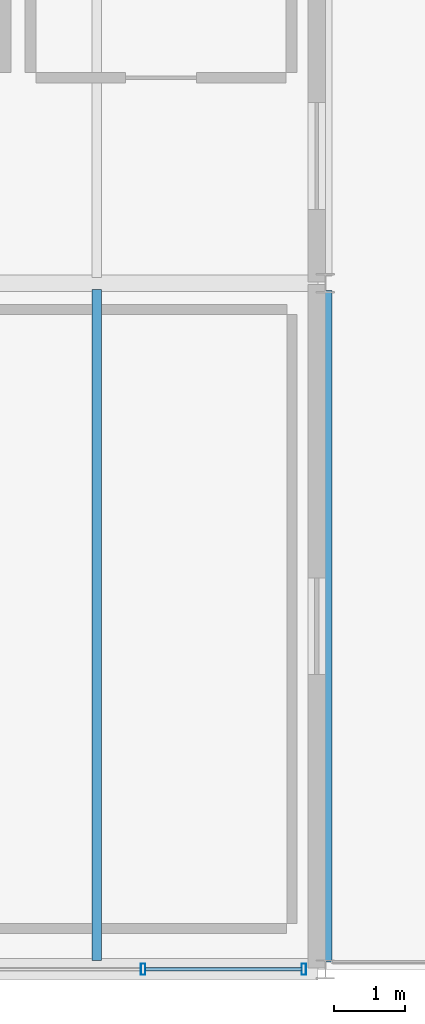
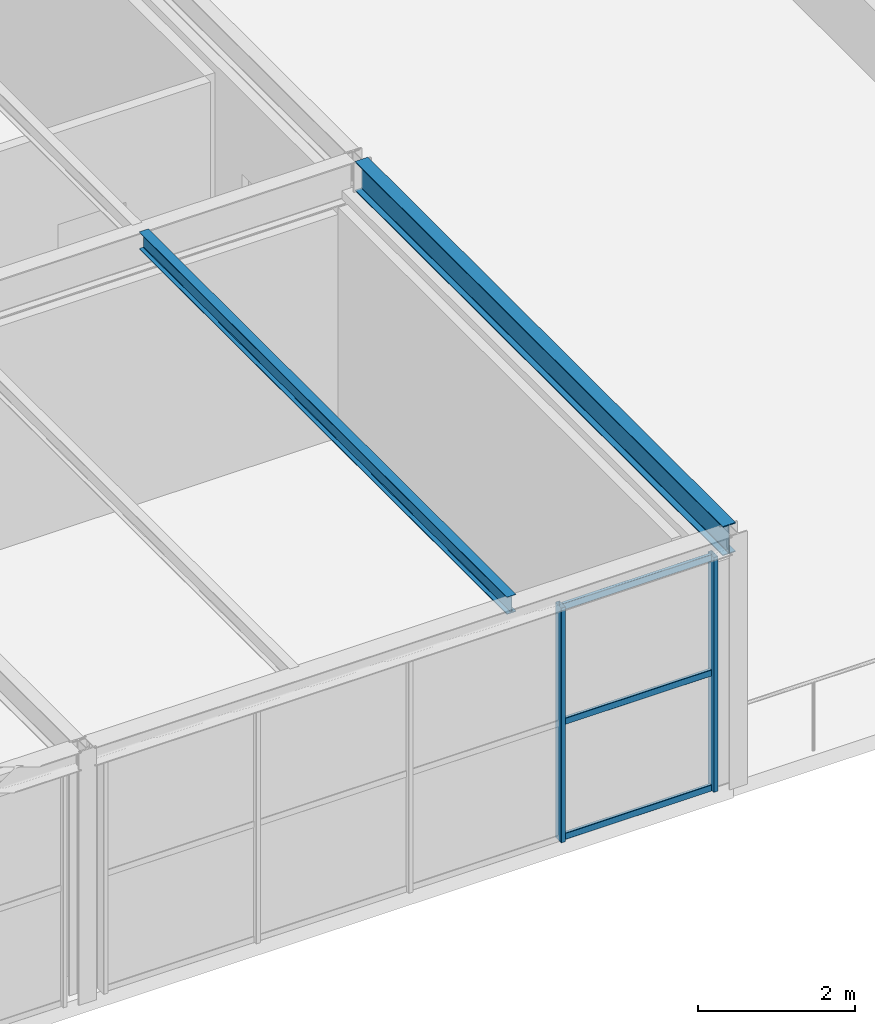
# One storey, part 30 of 39: 5 members, 2 beams, 1 element without a shape of its own.
"""IFC4 building model written with IfcOpenShell, lengths in metres."""

from ifc_helpers import new_model, si_unit, direction, frame, origin, origin_2d, place, context, subcontext, project, spatial, hollow_rectangle, i_section, extrude, material, material_profile, profile_set, type_object, element, aggregate, save


model = new_model("IFC4")

# Units and contexts
model_context = context("Model", 3, precision=1e-05, world=origin(), true_north=direction((0.0, 1.0)))
body_context = subcontext(model_context, "Body", "Model", "MODEL_VIEW")
ifc_project = project(units=[si_unit("LENGTHUNIT", "METRE"), si_unit("AREAUNIT", "SQUARE_METRE"), si_unit("VOLUMEUNIT", "CUBIC_METRE"), si_unit("PLANEANGLEUNIT", "RADIAN"), si_unit("MASSUNIT", "GRAM", prefix="KILO")], contexts=[model_context])

# Site, building, storey
site_placement = place(None, origin())
site = spatial("IfcSite", under=ifc_project, at=site_placement, CompositionType="ELEMENT")
building_placement = place(site_placement, origin())
building = spatial("IfcBuilding", under=site, at=building_placement, Name="Coralgate Yard Interchange", CompositionType="ELEMENT")
storey_placement = place(building_placement, frame((0.0, 0.0, 18.89990234375)))
storey = spatial("IfcBuildingStorey", under=building, at=storey_placement, Name="L04", CompositionType="ELEMENT", Elevation=18.89990234375)

# Beams
ifc_material_1 = material(Name="Structural steel S355J2", Category="steel")
ifc_material_profile_1 = material_profile(ifc_material_1, i_section(OverallWidth=0.1904296875, OverallDepth=0.45703125, WebThickness=0.009033203125, FlangeThickness=0.014404296875, FilletRadius=0.01025390625, at=origin_2d()), Name="UB 457x191x74")
ifc_profile_set_1 = profile_set([ifc_material_profile_1], Name="Structural steel S355J2")
beam_type_1 = type_object("IfcBeamType", Name="BM-SB-2", PredefinedType="BEAM", material=ifc_profile_set_1)
beam_1_placement = place(storey_placement, frame((67.199951171875, 0.103271484375, 3.7216796875), z_axis=(0.0, 1.0, 0.0), x_axis=(-1.0, 0.0, 0.0)))
element("IfcBeam", 1, at=beam_1_placement, inside=storey, type_object=beam_type_1, Name="L04 primary grid girder X7 Y0-1", PredefinedType="BEAM", context=body_context, shape_type="SweptSolid", body=[
    extrude(i_section(OverallWidth=0.1904296875, OverallDepth=0.45703125, WebThickness=0.009033203125, FlangeThickness=0.014404296875, FilletRadius=0.01025390625, at=origin_2d()), origin(), (0.0, 0.0, 1.0), 9.393310546875),
])
ifc_material_profile_2 = material_profile(ifc_material_1, i_section(OverallWidth=0.135009765625, OverallDepth=0.27001953125, WebThickness=0.006591796875, FlangeThickness=0.01025390625, FilletRadius=0.014892578125, at=origin_2d()), Name="IPE 270")
ifc_profile_set_2 = profile_set([ifc_material_profile_2], Name="Structural steel S355J2")
beam_type_2 = type_object("IfcBeamType", Name="BM-SJ-3", PredefinedType="JOIST", material=ifc_profile_set_2)
beam_2_placement = place(storey_placement, frame((64.0, 0.1201171875, 3.815185546875), z_axis=(0.0, 1.0, 0.0), x_axis=(-1.0, 0.0, 0.0)))
element("IfcBeam", 2, at=beam_2_placement, inside=storey, type_object=beam_type_2, Name="L04 composite floor joist 6-0-2", PredefinedType="JOIST", context=body_context, shape_type="SweptSolid", body=[
    extrude(i_section(OverallWidth=0.135009765625, OverallDepth=0.27001953125, WebThickness=0.006591796875, FlangeThickness=0.01025390625, FilletRadius=0.014892578125, at=origin_2d()), origin(), (0.0, 0.0, 1.0), 9.395751953125),
])

# Curtain wall, members
ifc_material_2 = material(Name="Anodised coastal aluminium and solar-control low-E glass", Category="aluminium")
curtain_wall_type = type_object("IfcCurtainWallType", Name="CW-CW-L04-A", PredefinedType="NOTDEFINED", material=ifc_material_2)
curtain_wall_placement = place(storey_placement, origin())
curtain_wall = element("IfcCurtainWall", 3, at=curtain_wall_placement, inside=storey, type_object=curtain_wall_type, Name="L04 unitised curtain wall CW-L04-S-06-00", PredefinedType="NOTDEFINED")
ifc_material_3 = material(Name="Anodised coastal aluminium 6063-T6", Category="aluminium")
ifc_material_profile_3 = material_profile(ifc_material_3, hollow_rectangle(XDim=0.06494140625, YDim=0.159912109375, WallThickness=0.00390625, InnerFilletRadius=0.00390625, OuterFilletRadius=0.008056640625, at=origin_2d()), Name="ALU 65x160x4")
ifc_profile_set_3 = profile_set([ifc_material_profile_3], Name="Anodised coastal aluminium 6063-T6")
member_type_1 = type_object("IfcMemberType", Name="MB-MUL-160", PredefinedType="MULLION", material=ifc_profile_set_3)
member_1_placement = place(storey_placement, frame((66.89990234375, 0.0, 0.0), z_axis=(0.0, 0.0, 1.0), x_axis=(1.0, 0.0, 0.0)))
member_1 = element("IfcMember", 4, at=member_1_placement, type_object=member_type_1, Name="CW-L04-S-06-00 vertical mullion 1", PredefinedType="MULLION", context=body_context, shape_type="SweptSolid", body=[
    extrude(hollow_rectangle(XDim=0.06494140625, YDim=0.159912109375, WallThickness=0.00390625, InnerFilletRadius=0.00390625, OuterFilletRadius=0.008056640625, at=origin_2d()), origin(), (0.0, 0.0, 1.0), 3.66015625),
])
member_2_placement = place(storey_placement, frame((64.64990234375, 0.0, 0.0), z_axis=(0.0, 0.0, 1.0), x_axis=(1.0, 0.0, 0.0)))
member_2 = element("IfcMember", 5, at=member_2_placement, type_object=member_type_1, Name="CW-L04-S-06-00 vertical mullion 2", PredefinedType="MULLION", context=body_context, shape_type="SweptSolid", body=[
    extrude(hollow_rectangle(XDim=0.06494140625, YDim=0.159912109375, WallThickness=0.00390625, InnerFilletRadius=0.00390625, OuterFilletRadius=0.008056640625, at=origin_2d()), origin(), (0.0, 0.0, 1.0), 3.66015625),
])
ifc_material_profile_4 = material_profile(ifc_material_3, hollow_rectangle(XDim=0.050048828125, YDim=0.10009765625, WallThickness=0.0029296875, InnerFilletRadius=0.0029296875, OuterFilletRadius=0.006103515625, at=origin_2d()), Name="ALU 50x100x3")
ifc_profile_set_4 = profile_set([ifc_material_profile_4], Name="Anodised coastal aluminium 6063-T6")
member_type_2 = type_object("IfcMemberType", Name="MB-TRN-100", PredefinedType="USERDEFINED", material=ifc_profile_set_4)
member_3_placement = place(storey_placement, frame((66.8701171875, 0.0, 0.03515625), z_axis=(-1.0, 0.0, 0.0), x_axis=(0.0, -1.0, 0.0)))
member_3 = element("IfcMember", 6, at=member_3_placement, type_object=member_type_2, Name="CW-L04-S-06-00 horizontal transom 1-1", ObjectType="TRANSOM", PredefinedType="USERDEFINED", context=body_context, shape_type="SweptSolid", body=[
    extrude(hollow_rectangle(XDim=0.050048828125, YDim=0.10009765625, WallThickness=0.0029296875, InnerFilletRadius=0.0029296875, OuterFilletRadius=0.006103515625, at=origin_2d()), origin(), (0.0, 0.0, 1.0), 2.190185546875),
])
member_4_placement = place(storey_placement, frame((66.8701171875, 0.0, 1.830078125), z_axis=(-1.0, 0.0, 0.0), x_axis=(0.0, -1.0, 0.0)))
member_4 = element("IfcMember", 7, at=member_4_placement, type_object=member_type_2, Name="CW-L04-S-06-00 horizontal transom 1-2", ObjectType="TRANSOM", PredefinedType="USERDEFINED", context=body_context, shape_type="SweptSolid", body=[
    extrude(hollow_rectangle(XDim=0.050048828125, YDim=0.10009765625, WallThickness=0.0029296875, InnerFilletRadius=0.0029296875, OuterFilletRadius=0.006103515625, at=origin_2d()), origin(), (0.0, 0.0, 1.0), 2.190185546875),
])
member_5_placement = place(storey_placement, frame((66.8701171875, 0.0, 3.625), z_axis=(-1.0, 0.0, 0.0), x_axis=(0.0, -1.0, 0.0)))
member_5 = element("IfcMember", 8, at=member_5_placement, type_object=member_type_2, Name="CW-L04-S-06-00 horizontal transom 1-3", ObjectType="TRANSOM", PredefinedType="USERDEFINED", context=body_context, shape_type="SweptSolid", body=[
    extrude(hollow_rectangle(XDim=0.050048828125, YDim=0.10009765625, WallThickness=0.0029296875, InnerFilletRadius=0.0029296875, OuterFilletRadius=0.006103515625, at=origin_2d()), origin(), (0.0, 0.0, 1.0), 2.190185546875),
])
aggregate(curtain_wall, [member_1, member_2, member_3, member_4, member_5])

save(model, "model.ifc")
